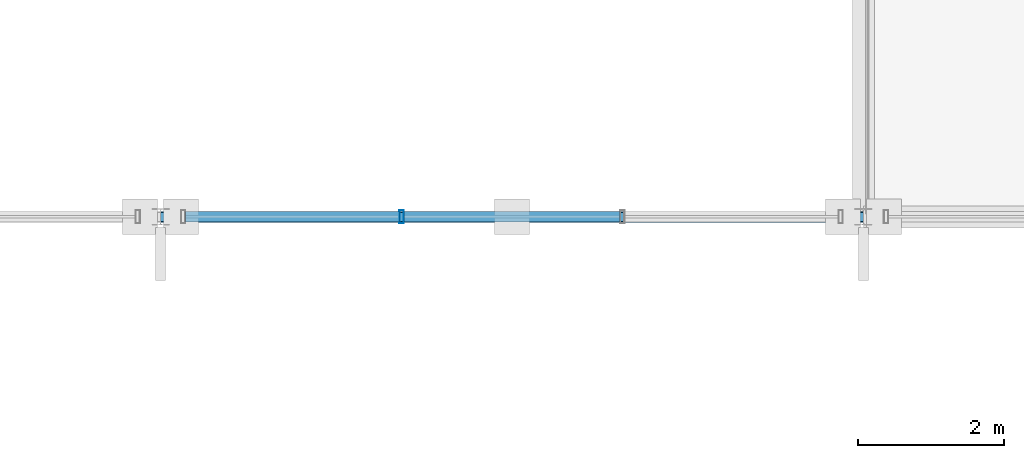
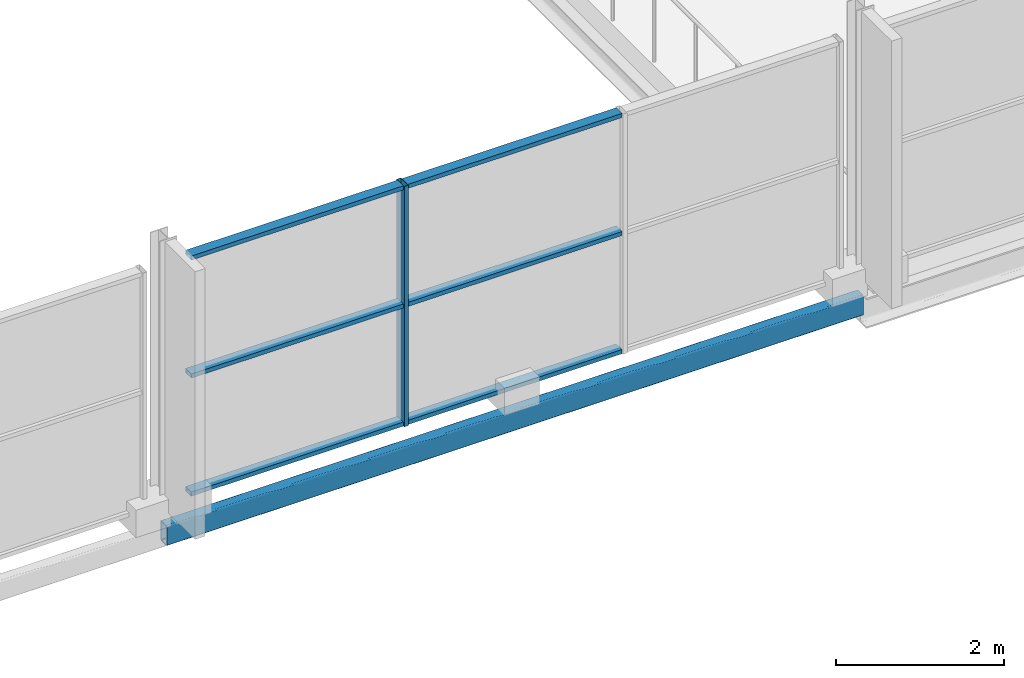
# One storey, part 21 of 117: 7 members, 1 beam, 1 element without a shape of its own.
"""IFC4 building model written with IfcOpenShell, lengths in metres."""

from ifc_helpers import new_model, si_unit, direction, frame, origin, origin_2d, place, context, subcontext, project, spatial, hollow_rectangle, extrude, material, material_profile, profile_set, type_object, element, aggregate, save


model = new_model("IFC4")

# Units and contexts
model_context = context("Model", 3, precision=1e-05, world=origin(), true_north=direction((0.0, 1.0)))
body_context = subcontext(model_context, "Body", "Model", "MODEL_VIEW")
ifc_project = project(units=[si_unit("LENGTHUNIT", "METRE"), si_unit("AREAUNIT", "SQUARE_METRE"), si_unit("VOLUMEUNIT", "CUBIC_METRE"), si_unit("PLANEANGLEUNIT", "RADIAN"), si_unit("MASSUNIT", "GRAM", prefix="KILO")], contexts=[model_context])

# Site, building, storey
site_placement = place(None, origin())
site = spatial("IfcSite", under=ifc_project, at=site_placement, CompositionType="ELEMENT")
building_placement = place(site_placement, origin())
building = spatial("IfcBuilding", under=site, at=building_placement, Name="Merenkruunu Market Hall", CompositionType="ELEMENT")
storey_placement = place(building_placement, frame((0.0, 0.0, 10.199951171875)))
storey = spatial("IfcBuildingStorey", under=building, at=storey_placement, Name="L02", CompositionType="ELEMENT", Elevation=10.199951171875)

# Curtain wall, members
ifc_material_1 = material(Name="Powder-coated aluminium", Category="aluminium")
curtain_wall_type = type_object("IfcCurtainWallType", Name="Glazed Curtain Wall CW10", PredefinedType="USERDEFINED", material=ifc_material_1)
curtain_wall_placement = place(storey_placement, origin())
curtain_wall = element("IfcCurtainWall", 1, at=curtain_wall_placement, inside=storey, type_object=curtain_wall_type, Name="CW-L02-CWM02-024", ObjectType="GLAZED_FACADE", PredefinedType="USERDEFINED")
ifc_material_profile_1 = material_profile(ifc_material_1, hollow_rectangle(XDim=0.06005859375, YDim=0.179931640625, WallThickness=0.00390625, at=origin_2d()), Name="ALU 60x180x4")
ifc_profile_set_1 = profile_set([ifc_material_profile_1], Name="Powder-coated aluminium")
member_type_1 = type_object("IfcMemberType", Name="Curtain Wall Mullion CWM02", PredefinedType="MULLION", material=ifc_profile_set_1)
member_1_placement = place(storey_placement, frame((12.893310546875, 15.60009765625, 0.0), z_axis=(0.0, 0.0, 1.0), x_axis=(-1.0, 0.0, 0.0)))
member_1 = element("IfcMember", 2, at=member_1_placement, type_object=member_type_1, Name="CW10 mullion 3", PredefinedType="MULLION", context=body_context, shape_type="SweptSolid", body=[
    extrude(hollow_rectangle(XDim=0.06005859375, YDim=0.179931640625, WallThickness=0.00390625, at=origin_2d()), origin(), (0.0, 0.0, 1.0), 3.5),
])
ifc_material_profile_2 = material_profile(ifc_material_1, hollow_rectangle(XDim=0.06005859375, YDim=0.139892578125, WallThickness=0.00390625, at=origin_2d()), Name="ALU 60x140x4")
ifc_profile_set_2 = profile_set([ifc_material_profile_2], Name="Powder-coated aluminium")
member_type_2 = type_object("IfcMemberType", Name="Curtain Wall Transom CWT02", PredefinedType="USERDEFINED", material=ifc_profile_set_2)
member_2_placement = place(storey_placement, frame((15.876708984375, 15.60009765625, 0.030029296875), z_axis=(-1.0, 0.0, 0.0), x_axis=(0.0, 0.0, 1.0)))
member_2 = element("IfcMember", 3, at=member_2_placement, type_object=member_type_2, Name="CW10 transom 2.1", ObjectType="TRANSOM", PredefinedType="USERDEFINED", context=body_context, shape_type="SweptSolid", body=[
    extrude(hollow_rectangle(XDim=0.06005859375, YDim=0.139892578125, WallThickness=0.00390625, at=origin_2d()), origin(), (0.0, 0.0, 1.0), 2.953369140625),
])
member_3_placement = place(storey_placement, frame((15.876708984375, 15.60009765625, 1.75), z_axis=(-1.0, 0.0, 0.0), x_axis=(0.0, 0.0, 1.0)))
member_3 = element("IfcMember", 4, at=member_3_placement, type_object=member_type_2, Name="CW10 transom 2.2", ObjectType="TRANSOM", PredefinedType="USERDEFINED", context=body_context, shape_type="SweptSolid", body=[
    extrude(hollow_rectangle(XDim=0.06005859375, YDim=0.139892578125, WallThickness=0.00390625, at=origin_2d()), origin(), (0.0, 0.0, 1.0), 2.953369140625),
])
member_4_placement = place(storey_placement, frame((15.876708984375, 15.60009765625, 3.469970703125), z_axis=(-1.0, 0.0, 0.0), x_axis=(0.0, 0.0, 1.0)))
member_4 = element("IfcMember", 5, at=member_4_placement, type_object=member_type_2, Name="CW10 transom 2.3", ObjectType="TRANSOM", PredefinedType="USERDEFINED", context=body_context, shape_type="SweptSolid", body=[
    extrude(hollow_rectangle(XDim=0.06005859375, YDim=0.139892578125, WallThickness=0.00390625, at=origin_2d()), origin(), (0.0, 0.0, 1.0), 2.953369140625),
])
member_5_placement = place(storey_placement, frame((12.86328125, 15.60009765625, 0.030029296875), z_axis=(-1.0, 0.0, 0.0), x_axis=(0.0, 0.0, 1.0)))
member_5 = element("IfcMember", 6, at=member_5_placement, type_object=member_type_2, Name="CW10 transom 3.1", ObjectType="TRANSOM", PredefinedType="USERDEFINED", context=body_context, shape_type="SweptSolid", body=[
    extrude(hollow_rectangle(XDim=0.06005859375, YDim=0.139892578125, WallThickness=0.00390625, at=origin_2d()), origin(), (0.0, 0.0, 1.0), 2.92333984375),
])
member_6_placement = place(storey_placement, frame((12.86328125, 15.60009765625, 1.75), z_axis=(-1.0, 0.0, 0.0), x_axis=(0.0, 0.0, 1.0)))
member_6 = element("IfcMember", 7, at=member_6_placement, type_object=member_type_2, Name="CW10 transom 3.2", ObjectType="TRANSOM", PredefinedType="USERDEFINED", context=body_context, shape_type="SweptSolid", body=[
    extrude(hollow_rectangle(XDim=0.06005859375, YDim=0.139892578125, WallThickness=0.00390625, at=origin_2d()), origin(), (0.0, 0.0, 1.0), 2.92333984375),
])
member_7_placement = place(storey_placement, frame((12.86328125, 15.60009765625, 3.469970703125), z_axis=(-1.0, 0.0, 0.0), x_axis=(0.0, 0.0, 1.0)))
member_7 = element("IfcMember", 8, at=member_7_placement, type_object=member_type_2, Name="CW10 transom 3.3", ObjectType="TRANSOM", PredefinedType="USERDEFINED", context=body_context, shape_type="SweptSolid", body=[
    extrude(hollow_rectangle(XDim=0.06005859375, YDim=0.139892578125, WallThickness=0.00390625, at=origin_2d()), origin(), (0.0, 0.0, 1.0), 2.92333984375),
])
aggregate(curtain_wall, [member_1, member_2, member_3, member_4, member_5, member_6, member_7])

# Beam
ifc_material_2 = material(Name="Steel S355J2", Category="steel")
ifc_material_profile_3 = material_profile(ifc_material_2, hollow_rectangle(XDim=0.14990234375, YDim=0.300048828125, WallThickness=0.012451171875, InnerFilletRadius=0.012451171875, OuterFilletRadius=0.02490234375, at=origin_2d()), Name="RHS 300x150x12.5")
ifc_profile_set_3 = profile_set([ifc_material_profile_3], Name="Steel S355J2")
beam_type = type_object("IfcBeamType", Name="Perimeter Spandrel Beam SP03", PredefinedType="SPANDREL", material=ifc_profile_set_3)
beam_placement = place(storey_placement, frame((9.60009765625, 15.60009765625, -0.4599609375), z_axis=(1.0, 0.0, 0.0), x_axis=(0.0, 1.0, 0.0)))
element("IfcBeam", 9, at=beam_placement, inside=storey, type_object=beam_type, Name="BM-L02-SP03-1243", PredefinedType="SPANDREL", context=body_context, shape_type="SweptSolid", body=[
    extrude(hollow_rectangle(XDim=0.14990234375, YDim=0.300048828125, WallThickness=0.012451171875, InnerFilletRadius=0.012451171875, OuterFilletRadius=0.02490234375, at=origin_2d()), origin(), (0.0, 0.0, 1.0), 9.599853515625),
])

save(model, "model.ifc")
